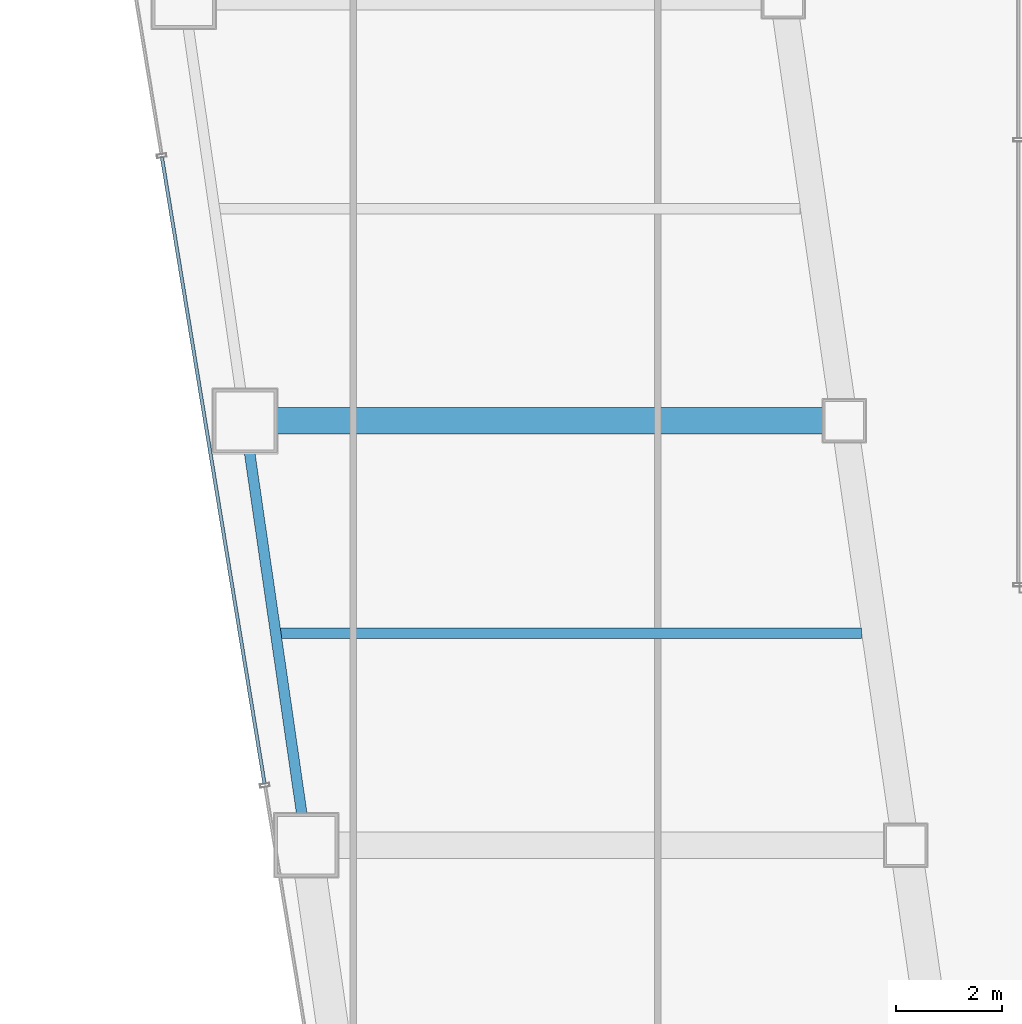
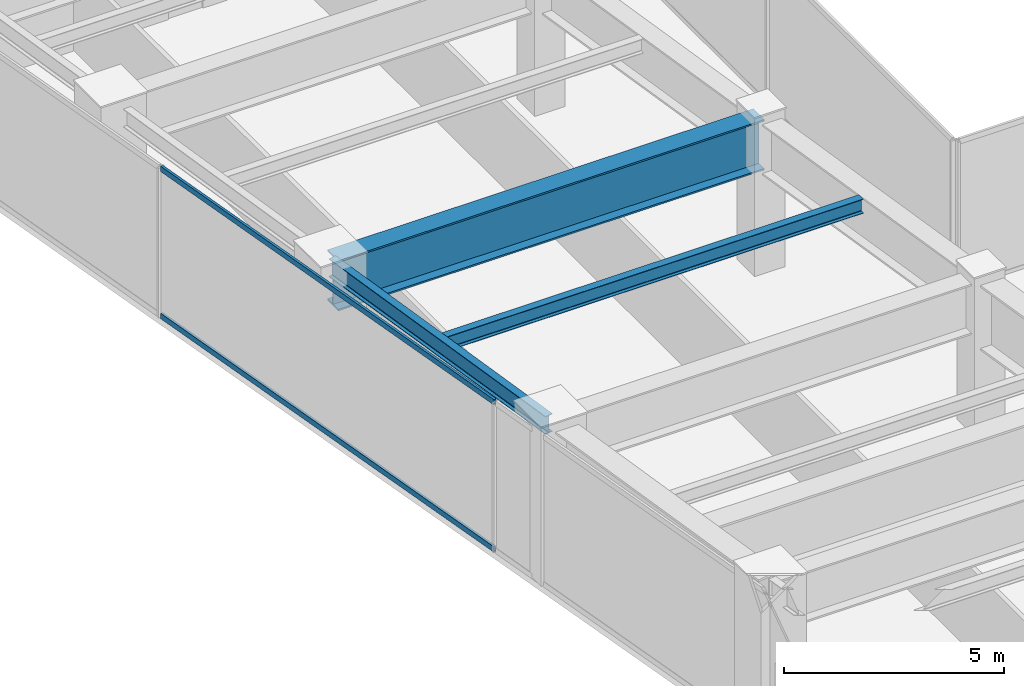
# One storey, part 10 of 40: 3 beams, 2 members, 1 element without a shape of its own.
"""IFC4 building model written with IfcOpenShell, lengths in metres."""

import ifcopenshell
import ifcopenshell.guid

model = None  # the IFC model being written
_history = None  # IfcOwnerHistory: only IFC2X3 demands one
_inside = {}  # id of a spatial element -> (the spatial element, [elements in it])
_under = {}  # id of a project, library or spatial element -> (it, [spatial elements below it])
_declared = {}  # id of a project -> (the project, [libraries it declares])
_typed = {}  # id of a type object -> (the type object, [elements of that type])
_made_of = {}  # id of a material, layer set ... -> (it, [elements and type objects made of it])


def new_model(schema):
    """Start an empty IFC model of exactly this schema.

    Asked for "IFC4X3", IfcOpenShell would pick the latest addendum, in which some entities
    have other attributes; the version numbers below select the first issue.
    IFC2X3 requires an IfcOwnerHistory on every rooted entity: one is made here for all.
    """
    global model, _history
    if schema == "IFC4X3":
        model = ifcopenshell.file(schema_version=(4, 3, 0, 0))
    else:
        model = ifcopenshell.file(schema=schema)
    _inside.clear()
    _under.clear()
    _declared.clear()
    _typed.clear()
    _made_of.clear()
    _history = None
    if model.schema == "IFC2X3":
        org = make("IfcOrganization", Name="unknown")
        user = make(
            "IfcPersonAndOrganization",
            ThePerson=make("IfcPerson", FamilyName="unknown"),
            TheOrganization=org,
        )
        app = make(
            "IfcApplication",
            ApplicationDeveloper=org,
            Version="unknown",
            ApplicationFullName="unknown",
            ApplicationIdentifier="unknown",
        )
        _history = make(
            "IfcOwnerHistory",
            OwningUser=user,
            OwningApplication=app,
            ChangeAction="ADDED",
            CreationDate=0,
        )
    return model


def make(cls, **values):
    """One entity of the class cls with the attributes given. An attribute that is None is left unset."""
    return model.create_entity(
        cls, **{name: value for name, value in values.items() if value is not None}
    )


def rooted(cls, **values):
    """An entity with a GlobalId (a new one), such as an element, a storey or a relation."""
    return make(cls, GlobalId=ifcopenshell.guid.new(), OwnerHistory=_history, **values)


def si_unit(unit_type, name, prefix=None):
    """IfcSIUnit, for example si_unit("LENGTHUNIT", "METRE", prefix="MILLI")."""
    return make("IfcSIUnit", UnitType=unit_type, Prefix=prefix, Name=name)


def assignment(units):
    """IfcUnitAssignment: the units of a project."""
    return None if units is None else make("IfcUnitAssignment", Units=units)


def point(xyz):
    """IfcCartesianPoint."""
    return None if xyz is None else make("IfcCartesianPoint", Coordinates=xyz)


def direction(xyz):
    """IfcDirection."""
    return None if xyz is None else make("IfcDirection", DirectionRatios=xyz)


def frame(location, z_axis=None, x_axis=None):
    """IfcAxis2Placement3D, a coordinate frame: its origin and axes. An axis left out is left unset."""
    return make(
        "IfcAxis2Placement3D",
        Location=point(location),
        Axis=direction(z_axis),
        RefDirection=direction(x_axis),
    )


def frame_2d(location, x_axis=None):
    """IfcAxis2Placement2D, a coordinate frame in the plane: its origin and x axis."""
    return make(
        "IfcAxis2Placement2D", Location=point(location), RefDirection=direction(x_axis)
    )


def origin():
    """The frame at (0, 0, 0) with its axes left unset."""
    return frame((0.0, 0.0, 0.0))


def origin_2d():
    """The frame at (0, 0) in the plane with its x axis left unset."""
    return frame_2d((0.0, 0.0))


def place(relative_to, where):
    """IfcLocalPlacement: puts the frame where relative to a parent placement (None: the world)."""
    return make(
        "IfcLocalPlacement", PlacementRelTo=relative_to, RelativePlacement=where
    )


def context(
    kind, dimensions, precision=None, world=None, true_north=None, identifier=None
):
    """IfcGeometricRepresentationContext, for example the 3D "Model" context."""
    return make(
        "IfcGeometricRepresentationContext",
        ContextIdentifier=identifier,
        ContextType=kind,
        CoordinateSpaceDimension=dimensions,
        Precision=precision,
        WorldCoordinateSystem=world,
        TrueNorth=true_north,
    )


def subcontext(parent, identifier, kind, view, scale=None):
    """IfcGeometricRepresentationSubContext, for example "Body" below "Model"."""
    return make(
        "IfcGeometricRepresentationSubContext",
        ContextIdentifier=identifier,
        ContextType=kind,
        ParentContext=parent,
        TargetScale=scale,
        TargetView=view,
    )


def project(units=None, contexts=None):
    """IfcProject with its units and contexts."""
    return rooted(
        "IfcProject",
        Name="project",
        RepresentationContexts=contexts,
        UnitsInContext=assignment(units),
    )


def spatial(cls, under=None, at=None, **own):
    """A site, building, storey or space (cls), placed at a placement, below another one or the project."""
    s = rooted(cls, ObjectPlacement=at, **own)
    if under is not None:
        _under.setdefault(under.id(), (under, []))[1].append(s)
    return s


def profile(cls, at=None, kind="AREA", **sizes):
    """A parametric profile (cls). Its sizes go by their IFC names, for example OverallWidth=200.0."""
    return make(cls, ProfileType=kind, Position=at, **sizes)


def hollow_rectangle(**sizes):
    """IfcRectangleHollowProfileDef."""
    return profile("IfcRectangleHollowProfileDef", **sizes)


def i_section(**sizes):
    """IfcIShapeProfileDef."""
    return profile("IfcIShapeProfileDef", **sizes)


def extrude(swept, where, along, depth):
    """IfcExtrudedAreaSolid: the profile swept, set in the frame where, extruded along a direction by depth."""
    return make(
        "IfcExtrudedAreaSolid",
        SweptArea=swept,
        Position=where,
        ExtrudedDirection=direction(along),
        Depth=depth,
    )


def shape(context_of_items, identifier, shape_type, items):
    """IfcShapeRepresentation: the items that make up one representation, for example the "Body"."""
    return make(
        "IfcShapeRepresentation",
        ContextOfItems=context_of_items,
        RepresentationIdentifier=identifier,
        RepresentationType=shape_type,
        Items=items,
    )


def material(Name=None, Category=None):
    """IfcMaterial."""
    return make("IfcMaterial", Name=Name, Category=Category)


def material_profile(
    of_material, cross_section, Name=None, Category=None, Priority=None
):
    """IfcMaterialProfile: a cross section and its material."""
    return make(
        "IfcMaterialProfile",
        Name=Name,
        Material=of_material,
        Profile=cross_section,
        Priority=Priority,
        Category=Category,
    )


def profile_set(profiles, Name=None, composite=None):
    """IfcMaterialProfileSet."""
    return make(
        "IfcMaterialProfileSet",
        Name=Name,
        MaterialProfiles=profiles,
        CompositeProfile=composite,
    )


def made_of(thing, what):
    """Note that an element or type object is made of a material, layer set ...; save() writes the relation."""
    if what is not None:
        _made_of.setdefault(what.id(), (what, []))[1].append(thing)
    return thing


def type_object(cls, material=None, **own):
    """A type object (cls), such as IfcWallType, which elements share."""
    return made_of(rooted(cls, **own), material)


def element(
    cls,
    number,
    at=None,
    inside=None,
    cuts=None,
    type_object=None,
    material=None,
    context=None,
    identifier="Body",
    shape_type=None,
    held_by="IfcProductDefinitionShape",
    body=None,
    shapes=None,
    **own,
):
    """One element of the class cls, such as IfcWall. Its Tag is "e" and its number.

    at: its placement. inside: the storey or other place that contains it. cuts: it is an
    opening in that element (IfcRelVoidsElement). A single representation is given by context,
    identifier, shape_type and body (its items); several are given by shapes. held_by: the class
    of the entity that holds the representations. save() writes the other relations.
    """
    e = rooted(cls, Tag="e%d" % number, ObjectPlacement=at, **own)
    if body is not None:
        shapes = [shape(context, identifier, shape_type, body)]
    if shapes is not None:
        e.Representation = make(held_by, Representations=shapes)
    if inside is not None:
        _inside.setdefault(inside.id(), (inside, []))[1].append(e)
    if cuts is not None:
        rooted(
            "IfcRelVoidsElement", RelatingBuildingElement=cuts, RelatedOpeningElement=e
        )
    if type_object is not None:
        _typed.setdefault(type_object.id(), (type_object, []))[1].append(e)
    return made_of(e, material)


def aggregate(whole, parts):
    """IfcRelAggregates: a whole, such as a stair, and the parts it consists of."""
    return rooted("IfcRelAggregates", RelatingObject=whole, RelatedObjects=parts)


def save(model, path):
    """Write the relations noted so far, then the file.

    IfcRelAggregates (storeys below a building ...), IfcRelContainedInSpatialStructure (elements
    in a storey), IfcRelDefinesByType, IfcRelAssociatesMaterial and IfcRelDeclares: one each for
    every whole, place, type object, material and project.
    """
    for whole, parts in _under.values():
        aggregate(whole, parts)
    for where, things in _inside.values():
        rooted(
            "IfcRelContainedInSpatialStructure",
            RelatedElements=things,
            RelatingStructure=where,
        )
    for kind, things in _typed.values():
        rooted("IfcRelDefinesByType", RelatedObjects=things, RelatingType=kind)
    for what, things in _made_of.values():
        rooted("IfcRelAssociatesMaterial", RelatedObjects=things, RelatingMaterial=what)
    for by, libraries in _declared.values():
        rooted("IfcRelDeclares", RelatingContext=by, RelatedDefinitions=libraries)
    model.write(path)


model = new_model("IFC4")

# Units and contexts
model_context = context("Model", 3, precision=1e-05, world=origin(), true_north=direction((0.0, 1.0)))
body_context = subcontext(model_context, "Body", "Model", "MODEL_VIEW")
ifc_project = project(units=[si_unit("LENGTHUNIT", "METRE"), si_unit("AREAUNIT", "SQUARE_METRE"), si_unit("VOLUMEUNIT", "CUBIC_METRE"), si_unit("PLANEANGLEUNIT", "RADIAN"), si_unit("MASSUNIT", "GRAM", prefix="KILO")], contexts=[model_context])

# Site, building, storey
site_placement = place(None, origin())
site = spatial("IfcSite", under=ifc_project, at=site_placement, CompositionType="ELEMENT")
building_placement = place(site_placement, origin())
building = spatial("IfcBuilding", under=site, at=building_placement, Name="Saevonmaru Cultural Tower", CompositionType="ELEMENT")
storey_placement = place(building_placement, frame((0.0, 0.0, 97.199951171875)))
storey = spatial("IfcBuildingStorey", under=building, at=storey_placement, Name="L20", CompositionType="ELEMENT", Elevation=97.199951171875)

# Beams
ifc_material_1 = material(Name="Steel SM355", Category="steel")
ifc_material_profile_1 = material_profile(ifc_material_1, i_section(OverallWidth=0.199951171875, OverallDepth=0.39990234375, WebThickness=0.008056640625, FlangeThickness=0.012939453125, FilletRadius=0.01611328125, at=origin_2d()), Name="H-400x200x8x13")
ifc_profile_set_1 = profile_set([ifc_material_profile_1], Name="Steel SM355")
beam_type_1 = type_object("IfcBeamType", Name="BM-J-H400", PredefinedType="JOIST", material=ifc_profile_set_1)
beam_1_placement = place(storey_placement, frame((10.110107421875, 20.0, 3.949951171875), z_axis=(1.0, 0.0, 0.0), x_axis=(0.0, 1.0, 0.0)))
element("IfcBeam", 1, at=beam_1_placement, inside=storey, type_object=beam_type_1, Name="L20 West Wing Floor Joist 3", PredefinedType="JOIST", context=body_context, shape_type="SweptSolid", body=[
    extrude(i_section(OverallWidth=0.199951171875, OverallDepth=0.39990234375, WebThickness=0.008056640625, FlangeThickness=0.012939453125, FilletRadius=0.01611328125, at=origin_2d()), origin(), (0.0, 0.0, 1.0), 10.98193359375),
])
ifc_material_profile_2 = material_profile(ifc_material_1, i_section(OverallWidth=0.199951171875, OverallDepth=0.5, WebThickness=0.010009765625, FlangeThickness=0.01611328125, FilletRadius=0.02001953125, at=origin_2d()), Name="H-500x200x10x16")
ifc_profile_set_2 = profile_set([ifc_material_profile_2], Name="Steel SM355")
beam_type_2 = type_object("IfcBeamType", Name="BM-SP-H500", PredefinedType="SPANDREL", material=ifc_profile_set_2)
beam_2_placement = place(storey_placement, frame((10.619384765625, 16.059326171875, 3.900146484375), z_axis=(-0.142992129437, 0.989723825579, 0.0), x_axis=(-0.989723825579, -0.142992129437, 0.0)))
element("IfcBeam", 2, at=beam_2_placement, inside=storey, type_object=beam_type_2, Name="L20 West Splayed Spandrel 3", PredefinedType="SPANDREL", context=body_context, shape_type="SweptSolid", body=[
    extrude(i_section(OverallWidth=0.199951171875, OverallDepth=0.5, WebThickness=0.010009765625, FlangeThickness=0.01611328125, FilletRadius=0.02001953125, at=origin_2d()), origin(), (0.0, 0.0, 1.0), 7.963134765625),
])
ifc_material_2 = material(Name="Steel HSA600 (600 MPa)", Category="steel")
ifc_material_profile_3 = material_profile(ifc_material_2, i_section(OverallWidth=0.5, OverallDepth=1.39990234375, WebThickness=0.02392578125, FlangeThickness=0.044921875, at=origin_2d()), Name="PG-1400x500x24x45")
ifc_profile_set_3 = profile_set([ifc_material_profile_3], Name="Steel HSA600 (600 MPa)")
beam_type_3 = type_object("IfcBeamType", Name="BM-TG-PG1400", PredefinedType="BEAM", material=ifc_profile_set_3)
beam_3_placement = place(storey_placement, frame((9.531982421875, 24.0, 3.449951171875), z_axis=(1.0, 0.0, 0.0), x_axis=(0.0, 1.0, 0.0)))
element("IfcBeam", 3, at=beam_3_placement, inside=storey, type_object=beam_type_3, Name="L20 West Wing Transverse Girder 4", PredefinedType="BEAM", context=body_context, shape_type="SweptSolid", body=[
    extrude(i_section(OverallWidth=0.5, OverallDepth=1.39990234375, WebThickness=0.02392578125, FlangeThickness=0.044921875, at=origin_2d()), origin(), (0.0, 0.0, 1.0), 11.179931640625),
])

# Curtain wall, members
ifc_material_3 = material(Name="Satin Bronze Anodised Aluminium", Category="aluminium")
curtain_wall_type = type_object("IfcCurtainWallType", Name="CW-TYP-A", PredefinedType="NOTDEFINED", material=ifc_material_3)
curtain_wall_placement = place(storey_placement, origin())
curtain_wall = element("IfcCurtainWall", 4, at=curtain_wall_placement, inside=storey, type_object=curtain_wall_type, Name="L20 Unitised Curtain Wall E12", PredefinedType="NOTDEFINED")
ifc_material_profile_4 = material_profile(ifc_material_3, hollow_rectangle(XDim=0.06494140625, YDim=0.14990234375, WallThickness=0.00390625, at=origin_2d()), Name="ALU-TRAN-150x65x4")
ifc_profile_set_4 = profile_set([ifc_material_profile_4], Name="Satin Bronze Anodised Aluminium")
member_type = type_object("IfcMemberType", Name="TR-CW-150x65", PredefinedType="USERDEFINED", material=ifc_profile_set_4)
member_1_placement = place(storey_placement, frame((7.9052734375, 28.968017578125, 0.032470703125), z_axis=(0.161701400727, -0.986839732177, 0.0), x_axis=(0.986839732177, 0.161701400727, 0.0)))
member_1 = element("IfcMember", 5, at=member_1_placement, type_object=member_type, Name="CW-TW-L20-E12 transom 3.1", ObjectType="TRANSOM", PredefinedType="USERDEFINED", context=body_context, shape_type="SweptSolid", body=[
    extrude(hollow_rectangle(XDim=0.06494140625, YDim=0.14990234375, WallThickness=0.00390625, at=origin_2d()), origin(), (0.0, 0.0, 1.0), 11.9638671875),
])
member_2_placement = place(storey_placement, frame((7.9052734375, 28.968017578125, 4.117431640625), z_axis=(0.161701400727, -0.986839732177, 0.0), x_axis=(0.986839732177, 0.161701400727, 0.0)))
member_2 = element("IfcMember", 6, at=member_2_placement, type_object=member_type, Name="CW-TW-L20-E12 transom 3.2", ObjectType="TRANSOM", PredefinedType="USERDEFINED", context=body_context, shape_type="SweptSolid", body=[
    extrude(hollow_rectangle(XDim=0.06494140625, YDim=0.14990234375, WallThickness=0.00390625, at=origin_2d()), origin(), (0.0, 0.0, 1.0), 11.9638671875),
])
aggregate(curtain_wall, [member_1, member_2])

save(model, "model.ifc")
